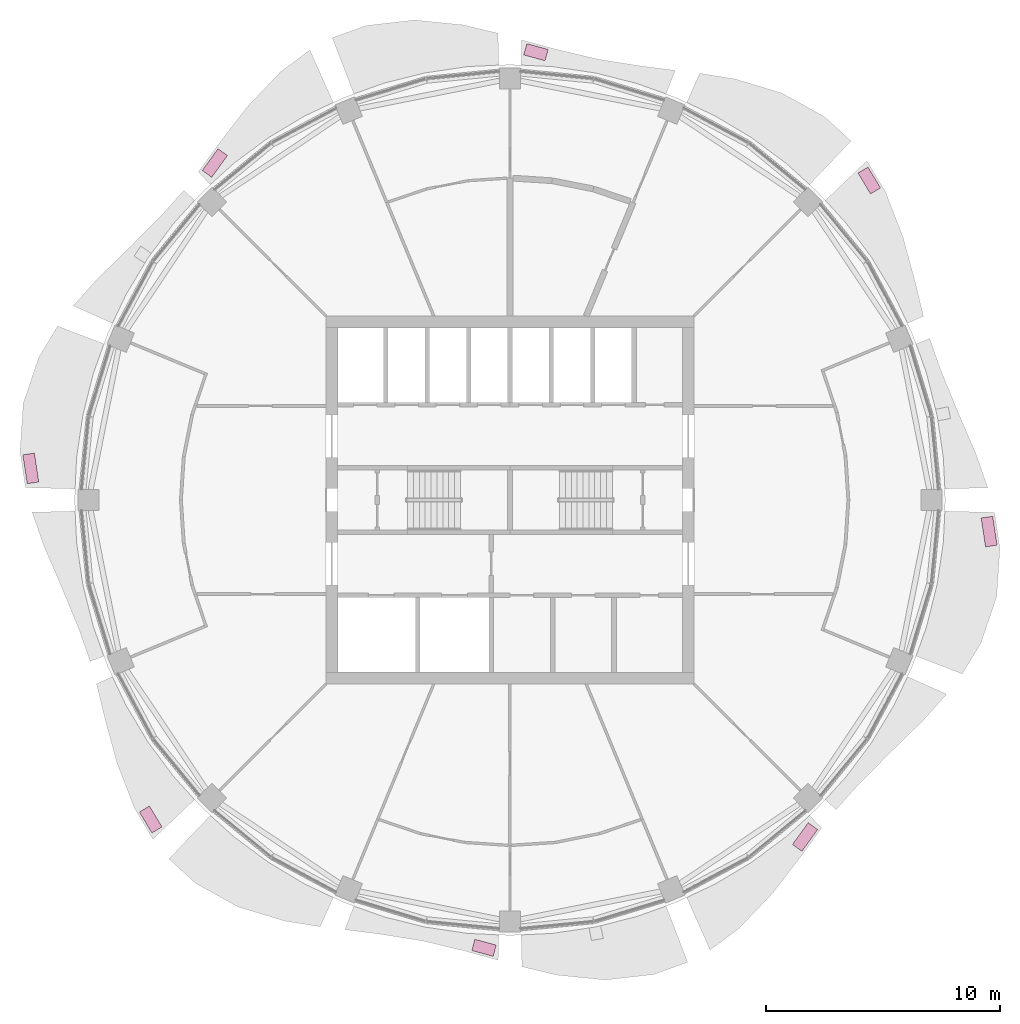
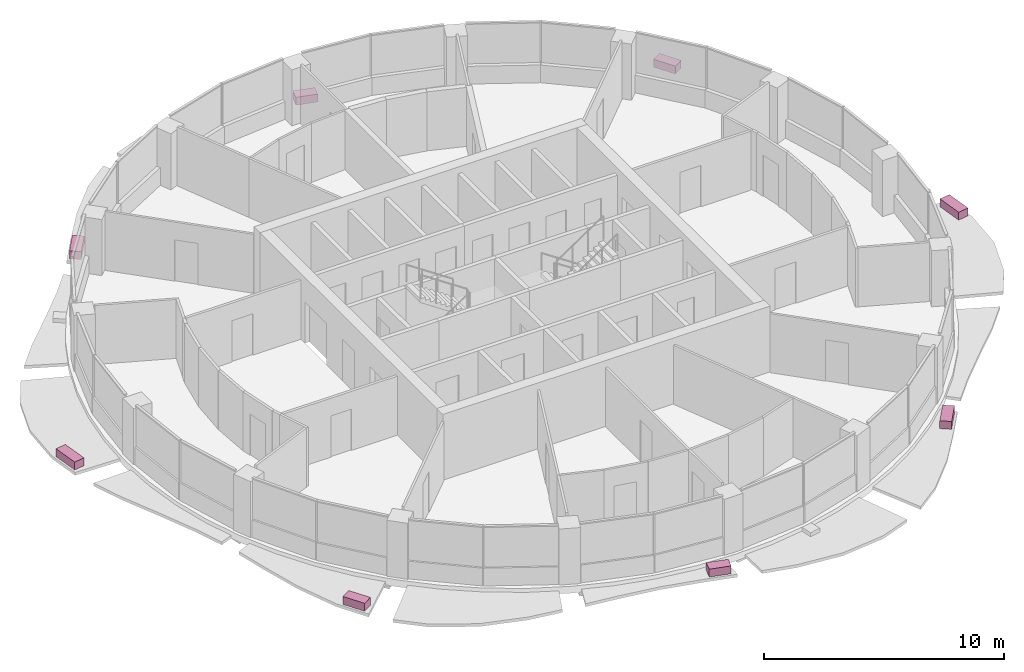
# One storey, part 15 of 15: 8 furniture elements.
"""IFC4 building model written with IfcOpenShell, lengths in metres."""

from ifc_helpers import new_model, si_unit, direction, frame, origin, origin_2d, place, context, subcontext, project, spatial, rectangle, extrude, material, type_object, element, save


model = new_model("IFC4")

# Units and contexts
model_context = context("Model", 3, precision=1e-05, world=origin(), true_north=direction((0.0, 1.0)))
body_context = subcontext(model_context, "Body", "Model", "MODEL_VIEW")
ifc_project = project(units=[si_unit("LENGTHUNIT", "METRE"), si_unit("AREAUNIT", "SQUARE_METRE"), si_unit("VOLUMEUNIT", "CUBIC_METRE"), si_unit("PLANEANGLEUNIT", "RADIAN"), si_unit("MASSUNIT", "GRAM", prefix="KILO")], contexts=[model_context])

# Site, building, storey
site_placement = place(None, origin())
site = spatial("IfcSite", under=ifc_project, at=site_placement, CompositionType="ELEMENT")
building_placement = place(site_placement, origin())
building = spatial("IfcBuilding", under=site, at=building_placement, Name="Polderwave Tower", CompositionType="ELEMENT")
storey_placement = place(building_placement, frame((0.0, 0.0, 180.949951171875)))
storey = spatial("IfcBuildingStorey", under=building, at=storey_placement, Name="L48", CompositionType="ELEMENT", Elevation=180.949951171875)

# Furniture
ifc_material = material(Name="Terracotta", Category="masonry")
furniture_type = type_object("IfcFurnitureType", Name="Terracotta planting trough", AssemblyPlace="NOTDEFINED", PredefinedType="USERDEFINED", material=ifc_material)
furniture_1_placement = place(storey_placement, frame((15.362060546875, 13.661376953125, -0.199951171875), z_axis=(0.0, 0.0, 1.0), x_axis=(-0.514105738228, 0.857726815438, 0.0)))
element("IfcFurniture", 1, at=furniture_1_placement, inside=storey, type_object=furniture_type, Name="Planting trough L48 2", ObjectType="PLANTER", PredefinedType="USERDEFINED", context=body_context, shape_type="SweptSolid", body=[
    extrude(rectangle(XDim=1.04345703125, YDim=0.5, at=origin_2d()), origin(), (0.0, 0.0, 1.0), 0.39990234375),
])
furniture_2_placement = place(storey_placement, frame((1.110107421875, 19.147705078125, -0.199951171875), z_axis=(0.0, 0.0, 1.0), x_axis=(-0.964699127054, 0.263354503019, 0.0)))
element("IfcFurniture", 2, at=furniture_2_placement, inside=storey, type_object=furniture_type, Name="Planting trough L48 4", ObjectType="PLANTER", PredefinedType="USERDEFINED", context=body_context, shape_type="SweptSolid", body=[
    extrude(rectangle(XDim=0.947509765625, YDim=0.5, at=origin_2d()), origin(), (0.0, 0.0, 1.0), 0.39990234375),
])
furniture_3_placement = place(storey_placement, frame((-12.617919921875, 14.408935546875, -0.199951171875), z_axis=(0.0, 0.0, 1.0), x_axis=(-0.587067724834, -0.809537822747, 0.0)))
element("IfcFurniture", 3, at=furniture_3_placement, inside=storey, type_object=furniture_type, Name="Planting trough L48 6", ObjectType="PLANTER", PredefinedType="USERDEFINED", context=body_context, shape_type="SweptSolid", body=[
    extrude(rectangle(XDim=1.150146484375, YDim=0.5, at=origin_2d()), origin(), (0.0, 0.0, 1.0), 0.39990234375),
])
furniture_4_placement = place(storey_placement, frame((-20.487548828125, 1.349853515625, -0.199951171875), z_axis=(0.0, 0.0, 1.0), x_axis=(0.151112447276, -0.988516579668, 0.0)))
element("IfcFurniture", 4, at=furniture_4_placement, inside=storey, type_object=furniture_type, Name="Planting trough L48 8", ObjectType="PLANTER", PredefinedType="USERDEFINED", context=body_context, shape_type="SweptSolid", body=[
    extrude(rectangle(XDim=1.250732421875, YDim=0.5, at=origin_2d()), origin(), (0.0, 0.0, 1.0), 0.39990234375),
])
furniture_5_placement = place(storey_placement, frame((-15.362060546875, -13.661376953125, -0.199951171875), z_axis=(0.0, 0.0, 1.0), x_axis=(0.514105738228, -0.857726815438, 0.0)))
element("IfcFurniture", 5, at=furniture_5_placement, inside=storey, type_object=furniture_type, Name="Planting trough L48 10", ObjectType="PLANTER", PredefinedType="USERDEFINED", context=body_context, shape_type="SweptSolid", body=[
    extrude(rectangle(XDim=1.04345703125, YDim=0.5, at=origin_2d()), origin(), (0.0, 0.0, 1.0), 0.39990234375),
])
furniture_6_placement = place(storey_placement, frame((-1.110107421875, -19.147705078125, -0.199951171875), z_axis=(0.0, 0.0, 1.0), x_axis=(0.964699127054, -0.263354503019, 0.0)))
element("IfcFurniture", 6, at=furniture_6_placement, inside=storey, type_object=furniture_type, Name="Planting trough L48 12", ObjectType="PLANTER", PredefinedType="USERDEFINED", context=body_context, shape_type="SweptSolid", body=[
    extrude(rectangle(XDim=0.947509765625, YDim=0.5, at=origin_2d()), origin(), (0.0, 0.0, 1.0), 0.39990234375),
])
furniture_7_placement = place(storey_placement, frame((12.617919921875, -14.408935546875, -0.199951171875), z_axis=(0.0, 0.0, 1.0), x_axis=(0.587067724834, 0.809537822747, 0.0)))
element("IfcFurniture", 7, at=furniture_7_placement, inside=storey, type_object=furniture_type, Name="Planting trough L48 14", ObjectType="PLANTER", PredefinedType="USERDEFINED", context=body_context, shape_type="SweptSolid", body=[
    extrude(rectangle(XDim=1.150146484375, YDim=0.5, at=origin_2d()), origin(), (0.0, 0.0, 1.0), 0.39990234375),
])
furniture_8_placement = place(storey_placement, frame((20.487548828125, -1.349853515625, -0.199951171875), z_axis=(0.0, 0.0, 1.0), x_axis=(-0.151112447276, 0.988516579668, 0.0)))
element("IfcFurniture", 8, at=furniture_8_placement, inside=storey, type_object=furniture_type, Name="Planting trough L48 16", ObjectType="PLANTER", PredefinedType="USERDEFINED", context=body_context, shape_type="SweptSolid", body=[
    extrude(rectangle(XDim=1.250732421875, YDim=0.5, at=origin_2d()), origin(), (0.0, 0.0, 1.0), 0.39990234375),
])

save(model, "model.ifc")
